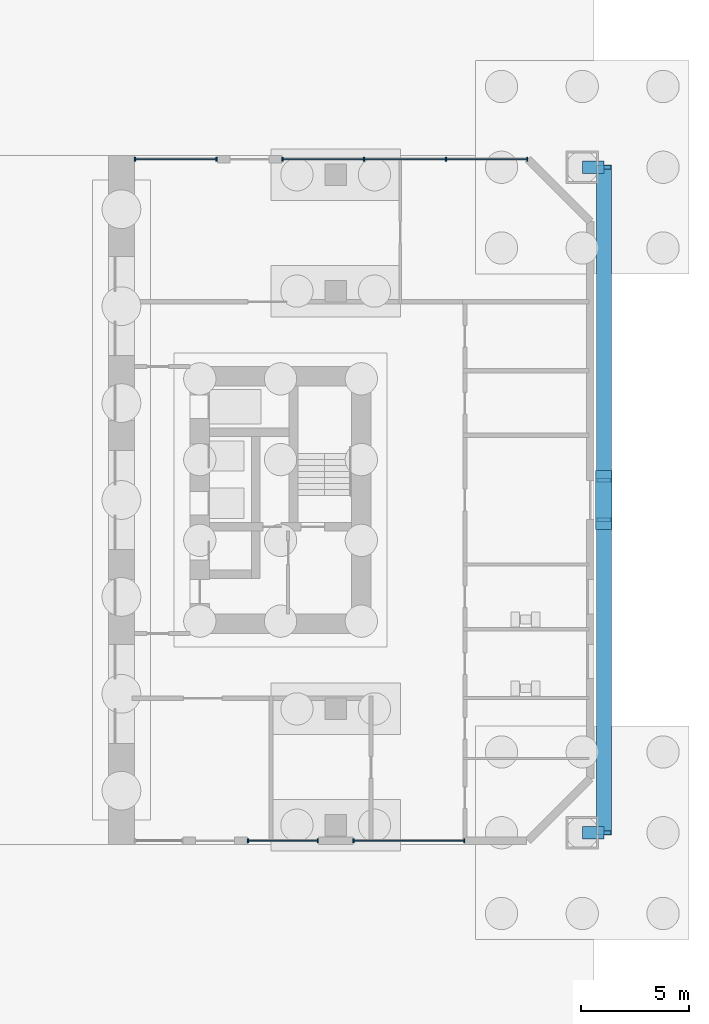
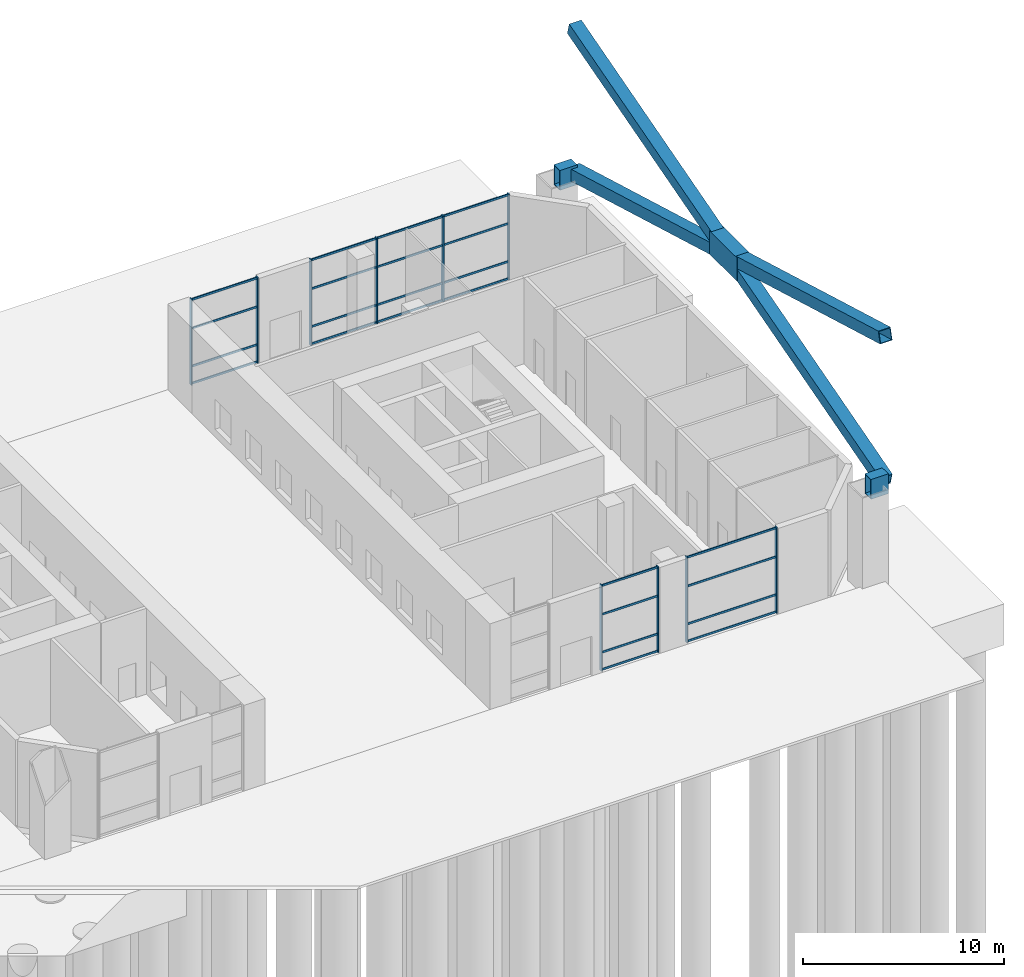
# One storey, part 9 of 26: 39 members, 2 beams, 4 elements without a shape of their own.
"""IFC4 building model written with IfcOpenShell, lengths in metres."""

import ifcopenshell
import ifcopenshell.guid

model = None  # the IFC model being written
_history = None  # IfcOwnerHistory: only IFC2X3 demands one
_inside = {}  # id of a spatial element -> (the spatial element, [elements in it])
_under = {}  # id of a project, library or spatial element -> (it, [spatial elements below it])
_declared = {}  # id of a project -> (the project, [libraries it declares])
_typed = {}  # id of a type object -> (the type object, [elements of that type])
_made_of = {}  # id of a material, layer set ... -> (it, [elements and type objects made of it])


def new_model(schema):
    """Start an empty IFC model of exactly this schema.

    Asked for "IFC4X3", IfcOpenShell would pick the latest addendum, in which some entities
    have other attributes; the version numbers below select the first issue.
    IFC2X3 requires an IfcOwnerHistory on every rooted entity: one is made here for all.
    """
    global model, _history
    if schema == "IFC4X3":
        model = ifcopenshell.file(schema_version=(4, 3, 0, 0))
    else:
        model = ifcopenshell.file(schema=schema)
    _inside.clear()
    _under.clear()
    _declared.clear()
    _typed.clear()
    _made_of.clear()
    _history = None
    if model.schema == "IFC2X3":
        org = make("IfcOrganization", Name="unknown")
        user = make(
            "IfcPersonAndOrganization",
            ThePerson=make("IfcPerson", FamilyName="unknown"),
            TheOrganization=org,
        )
        app = make(
            "IfcApplication",
            ApplicationDeveloper=org,
            Version="unknown",
            ApplicationFullName="unknown",
            ApplicationIdentifier="unknown",
        )
        _history = make(
            "IfcOwnerHistory",
            OwningUser=user,
            OwningApplication=app,
            ChangeAction="ADDED",
            CreationDate=0,
        )
    return model


def make(cls, **values):
    """One entity of the class cls with the attributes given. An attribute that is None is left unset."""
    return model.create_entity(
        cls, **{name: value for name, value in values.items() if value is not None}
    )


def rooted(cls, **values):
    """An entity with a GlobalId (a new one), such as an element, a storey or a relation."""
    return make(cls, GlobalId=ifcopenshell.guid.new(), OwnerHistory=_history, **values)


def si_unit(unit_type, name, prefix=None):
    """IfcSIUnit, for example si_unit("LENGTHUNIT", "METRE", prefix="MILLI")."""
    return make("IfcSIUnit", UnitType=unit_type, Prefix=prefix, Name=name)


def assignment(units):
    """IfcUnitAssignment: the units of a project."""
    return None if units is None else make("IfcUnitAssignment", Units=units)


def point(xyz):
    """IfcCartesianPoint."""
    return None if xyz is None else make("IfcCartesianPoint", Coordinates=xyz)


def direction(xyz):
    """IfcDirection."""
    return None if xyz is None else make("IfcDirection", DirectionRatios=xyz)


def frame(location, z_axis=None, x_axis=None):
    """IfcAxis2Placement3D, a coordinate frame: its origin and axes. An axis left out is left unset."""
    return make(
        "IfcAxis2Placement3D",
        Location=point(location),
        Axis=direction(z_axis),
        RefDirection=direction(x_axis),
    )


def frame_2d(location, x_axis=None):
    """IfcAxis2Placement2D, a coordinate frame in the plane: its origin and x axis."""
    return make(
        "IfcAxis2Placement2D", Location=point(location), RefDirection=direction(x_axis)
    )


def origin():
    """The frame at (0, 0, 0) with its axes left unset."""
    return frame((0.0, 0.0, 0.0))


def origin_2d():
    """The frame at (0, 0) in the plane with its x axis left unset."""
    return frame_2d((0.0, 0.0))


def place(relative_to, where):
    """IfcLocalPlacement: puts the frame where relative to a parent placement (None: the world)."""
    return make(
        "IfcLocalPlacement", PlacementRelTo=relative_to, RelativePlacement=where
    )


def context(
    kind, dimensions, precision=None, world=None, true_north=None, identifier=None
):
    """IfcGeometricRepresentationContext, for example the 3D "Model" context."""
    return make(
        "IfcGeometricRepresentationContext",
        ContextIdentifier=identifier,
        ContextType=kind,
        CoordinateSpaceDimension=dimensions,
        Precision=precision,
        WorldCoordinateSystem=world,
        TrueNorth=true_north,
    )


def subcontext(parent, identifier, kind, view, scale=None):
    """IfcGeometricRepresentationSubContext, for example "Body" below "Model"."""
    return make(
        "IfcGeometricRepresentationSubContext",
        ContextIdentifier=identifier,
        ContextType=kind,
        ParentContext=parent,
        TargetScale=scale,
        TargetView=view,
    )


def project(units=None, contexts=None):
    """IfcProject with its units and contexts."""
    return rooted(
        "IfcProject",
        Name="project",
        RepresentationContexts=contexts,
        UnitsInContext=assignment(units),
    )


def spatial(cls, under=None, at=None, **own):
    """A site, building, storey or space (cls), placed at a placement, below another one or the project."""
    s = rooted(cls, ObjectPlacement=at, **own)
    if under is not None:
        _under.setdefault(under.id(), (under, []))[1].append(s)
    return s


def profile(cls, at=None, kind="AREA", **sizes):
    """A parametric profile (cls). Its sizes go by their IFC names, for example OverallWidth=200.0."""
    return make(cls, ProfileType=kind, Position=at, **sizes)


def rectangle(**sizes):
    """IfcRectangleProfileDef."""
    return profile("IfcRectangleProfileDef", **sizes)


def hollow_rectangle(**sizes):
    """IfcRectangleHollowProfileDef."""
    return profile("IfcRectangleHollowProfileDef", **sizes)


def extrude(swept, where, along, depth):
    """IfcExtrudedAreaSolid: the profile swept, set in the frame where, extruded along a direction by depth."""
    return make(
        "IfcExtrudedAreaSolid",
        SweptArea=swept,
        Position=where,
        ExtrudedDirection=direction(along),
        Depth=depth,
    )


def shape(context_of_items, identifier, shape_type, items):
    """IfcShapeRepresentation: the items that make up one representation, for example the "Body"."""
    return make(
        "IfcShapeRepresentation",
        ContextOfItems=context_of_items,
        RepresentationIdentifier=identifier,
        RepresentationType=shape_type,
        Items=items,
    )


def material(Name=None, Category=None):
    """IfcMaterial."""
    return make("IfcMaterial", Name=Name, Category=Category)


def material_profile(
    of_material, cross_section, Name=None, Category=None, Priority=None
):
    """IfcMaterialProfile: a cross section and its material."""
    return make(
        "IfcMaterialProfile",
        Name=Name,
        Material=of_material,
        Profile=cross_section,
        Priority=Priority,
        Category=Category,
    )


def profile_set(profiles, Name=None, composite=None):
    """IfcMaterialProfileSet."""
    return make(
        "IfcMaterialProfileSet",
        Name=Name,
        MaterialProfiles=profiles,
        CompositeProfile=composite,
    )


def made_of(thing, what):
    """Note that an element or type object is made of a material, layer set ...; save() writes the relation."""
    if what is not None:
        _made_of.setdefault(what.id(), (what, []))[1].append(thing)
    return thing


def type_object(cls, material=None, **own):
    """A type object (cls), such as IfcWallType, which elements share."""
    return made_of(rooted(cls, **own), material)


def element(
    cls,
    number,
    at=None,
    inside=None,
    cuts=None,
    type_object=None,
    material=None,
    context=None,
    identifier="Body",
    shape_type=None,
    held_by="IfcProductDefinitionShape",
    body=None,
    shapes=None,
    **own,
):
    """One element of the class cls, such as IfcWall. Its Tag is "e" and its number.

    at: its placement. inside: the storey or other place that contains it. cuts: it is an
    opening in that element (IfcRelVoidsElement). A single representation is given by context,
    identifier, shape_type and body (its items); several are given by shapes. held_by: the class
    of the entity that holds the representations. save() writes the other relations.
    """
    e = rooted(cls, Tag="e%d" % number, ObjectPlacement=at, **own)
    if body is not None:
        shapes = [shape(context, identifier, shape_type, body)]
    if shapes is not None:
        e.Representation = make(held_by, Representations=shapes)
    if inside is not None:
        _inside.setdefault(inside.id(), (inside, []))[1].append(e)
    if cuts is not None:
        rooted(
            "IfcRelVoidsElement", RelatingBuildingElement=cuts, RelatedOpeningElement=e
        )
    if type_object is not None:
        _typed.setdefault(type_object.id(), (type_object, []))[1].append(e)
    return made_of(e, material)


def aggregate(whole, parts):
    """IfcRelAggregates: a whole, such as a stair, and the parts it consists of."""
    return rooted("IfcRelAggregates", RelatingObject=whole, RelatedObjects=parts)


def save(model, path):
    """Write the relations noted so far, then the file.

    IfcRelAggregates (storeys below a building ...), IfcRelContainedInSpatialStructure (elements
    in a storey), IfcRelDefinesByType, IfcRelAssociatesMaterial and IfcRelDeclares: one each for
    every whole, place, type object, material and project.
    """
    for whole, parts in _under.values():
        aggregate(whole, parts)
    for where, things in _inside.values():
        rooted(
            "IfcRelContainedInSpatialStructure",
            RelatedElements=things,
            RelatingStructure=where,
        )
    for kind, things in _typed.values():
        rooted("IfcRelDefinesByType", RelatedObjects=things, RelatingType=kind)
    for what, things in _made_of.values():
        rooted("IfcRelAssociatesMaterial", RelatedObjects=things, RelatingMaterial=what)
    for by, libraries in _declared.values():
        rooted("IfcRelDeclares", RelatingContext=by, RelatedDefinitions=libraries)
    model.write(path)


model = new_model("IFC4")

# Units and contexts
model_context = context("Model", 3, precision=1e-05, world=origin(), true_north=direction((0.0, 1.0)))
body_context = subcontext(model_context, "Body", "Model", "MODEL_VIEW")
ifc_project = project(units=[si_unit("LENGTHUNIT", "METRE"), si_unit("AREAUNIT", "SQUARE_METRE"), si_unit("VOLUMEUNIT", "CUBIC_METRE"), si_unit("PLANEANGLEUNIT", "RADIAN"), si_unit("MASSUNIT", "GRAM", prefix="KILO")], contexts=[model_context])

# Site, building, storey
site_placement = place(None, origin())
site = spatial("IfcSite", under=ifc_project, at=site_placement, CompositionType="ELEMENT")
building_placement = place(site_placement, origin())
building = spatial("IfcBuilding", under=site, at=building_placement, Name="Tuart Gate Housing", CompositionType="ELEMENT")
storey_placement = place(building_placement, origin())
storey = spatial("IfcBuildingStorey", under=building, at=storey_placement, Name="L00", CompositionType="ELEMENT", Elevation=0.0)

# Member
ifc_material_1 = material(Name="Steel Grade 350", Category="steel")
ifc_material_profile_1 = material_profile(ifc_material_1, rectangle(XDim=2.72705078125, YDim=1.419921875, at=origin_2d()), Name="Brace node plate 2727 x 1420")
ifc_profile_set_1 = profile_set([ifc_material_profile_1], Name="Steel Grade 350")
member_type_1 = type_object("IfcMemberType", Name="Brace node plate 2727 x 1420", PredefinedType="PLATE", material=ifc_profile_set_1)
member_1_placement = place(storey_placement, frame((179.06494140625, 70.0, 9.89990234375), z_axis=(1.0, 0.0, 0.0), x_axis=(0.0, 1.0, 0.0)))
element("IfcMember", 1, at=member_1_placement, inside=storey, type_object=member_type_1, Name="Brace node B zone 0 east", PredefinedType="PLATE", context=body_context, shape_type="SweptSolid", body=[
    extrude(rectangle(XDim=2.72705078125, YDim=1.419921875, at=origin_2d()), origin(), (0.0, 0.0, 1.0), 0.77001953125),
])

# Beams
ifc_material_2 = material(Name="Steel Grade 350", Category="steel")
ifc_material_profile_2 = material_profile(ifc_material_2, hollow_rectangle(XDim=0.60009765625, YDim=1.199951171875, WallThickness=0.0400390625, at=origin_2d()), Name="BOX 1200x600x40")
ifc_profile_set_2 = profile_set([ifc_material_profile_2], Name="Steel Grade 350")
beam_type = type_object("IfcBeamType", Name="Brace shoe BOX 1200x600x40", PredefinedType="BEAM", material=ifc_profile_set_2)
for number, where, z_axis, x_axis, name in (
    (2, (178.449951171875, 54.550048828125, 5.5), (1.0, 0.0, 0.0), (0.0, 1.0, 0.0), "Mega brace shoe B zone 0 east cross 1"),
    (3, (178.449951171875, 85.449951171875, 5.5), (1.0, 0.0, 0.0), (0.0, 1.0, 0.0), "Mega brace shoe B zone 0 east cross 2"),
):
    element("IfcBeam", number, at=place(storey_placement, frame(where, z_axis=z_axis, x_axis=x_axis)), inside=storey, type_object=beam_type, Name=name, PredefinedType="BEAM", context=body_context, shape_type="SweptSolid", body=[
        extrude(hollow_rectangle(XDim=0.60009765625, YDim=1.199951171875, WallThickness=0.0400390625, at=origin_2d()), origin(), (0.0, 0.0, 1.0), 1.0),
    ])

# Members
ifc_material_3 = material(Name="Steel Grade 350", Category="steel")
ifc_material_profile_3 = material_profile(ifc_material_3, hollow_rectangle(XDim=0.699951171875, YDim=0.699951171875, WallThickness=0.034912109375, at=origin_2d()), Name="BOX 700x700x35")
ifc_profile_set_3 = profile_set([ifc_material_profile_3], Name="Steel Grade 350")
member_type_2 = type_object("IfcMemberType", Name="Mega brace BOX 700x700x35", PredefinedType="BRACE", material=ifc_profile_set_3)
for number, where, z_axis, x_axis, name in (
    (4, (179.449951171875, 54.550048828125, 5.5), (0.0, 0.961755843044, 0.273908193324), (-1.0, 0.0, 0.0), "Mega brace B zone 0 east cross 1 a"),
    (5, (179.449951171875, 70.913818359375, 10.16015625), (0.0, 0.961755843044, 0.273908193324), (-1.0, 0.0, 0.0), "Mega brace B zone 0 east cross 1 b"),
    (6, (179.449951171875, 85.449951171875, 5.5), (0.0, -0.961755843044, 0.273908193324), (1.0, 0.0, 0.0), "Mega brace B zone 0 east cross 2 a"),
    (7, (179.449951171875, 69.086181640625, 10.16015625), (0.0, -0.961755843044, 0.273908193324), (1.0, 0.0, 0.0), "Mega brace B zone 0 east cross 2 b"),
):
    element("IfcMember", number, at=place(storey_placement, frame(where, z_axis=z_axis, x_axis=x_axis)), inside=storey, type_object=member_type_2, Name=name, PredefinedType="BRACE", context=body_context, shape_type="SweptSolid", body=[
        extrude(hollow_rectangle(XDim=0.699951171875, YDim=0.699951171875, WallThickness=0.034912109375, at=origin_2d()), origin(), (0.0, 0.0, 1.0), 15.1142578125),
    ])

# Curtain wall, members
ifc_material_4 = material(Name="Aluminium and clear glass", Category="aluminium")
curtain_wall_type = type_object("IfcCurtainWallType", Name="Ground storey glazing", PredefinedType="USERDEFINED", material=ifc_material_4)
curtain_wall_1_placement = place(storey_placement, origin())
curtain_wall_1 = element("IfcCurtainWall", 8, at=curtain_wall_1_placement, inside=storey, type_object=curtain_wall_type, Name="Ground storey glazing B-S L00", ObjectType="GROUND STOREY GLAZING", PredefinedType="USERDEFINED")
ifc_material_5 = material(Name="Anodised aluminium", Category="aluminium")
ifc_material_profile_4 = material_profile(ifc_material_5, rectangle(XDim=0.06005859375, YDim=0.199951171875, at=origin_2d()), Name="60x200")
ifc_profile_set_4 = profile_set([ifc_material_profile_4], Name="Anodised aluminium")
member_type_3 = type_object("IfcMemberType", Name="Mullion 60 x 200", PredefinedType="MULLION", material=ifc_profile_set_4)
member_2_placement = place(storey_placement, frame((162.929931640625, 54.179931640625, 0.0), z_axis=(0.0, 0.0, 1.0), x_axis=(1.0, 0.0, 0.0)))
member_2 = element("IfcMember", 9, at=member_2_placement, type_object=member_type_3, Name="CW2 mullion 1", PredefinedType="MULLION", context=body_context, shape_type="SweptSolid", body=[
    extrude(rectangle(XDim=0.06005859375, YDim=0.199951171875, at=origin_2d()), origin(), (0.0, 0.0, 1.0), 5.199951171875),
])
member_3_placement = place(storey_placement, frame((166.169921875, 54.179931640625, 0.0), z_axis=(0.0, 0.0, 1.0), x_axis=(1.0, 0.0, 0.0)))
member_3 = element("IfcMember", 10, at=member_3_placement, type_object=member_type_3, Name="CW2 mullion 2", PredefinedType="MULLION", context=body_context, shape_type="SweptSolid", body=[
    extrude(rectangle(XDim=0.06005859375, YDim=0.199951171875, at=origin_2d()), origin(), (0.0, 0.0, 1.0), 5.199951171875),
])

curtain_wall_2_placement = place(storey_placement, origin())
curtain_wall_2 = element("IfcCurtainWall", 11, at=curtain_wall_2_placement, inside=storey, type_object=curtain_wall_type, Name="Ground storey glazing B-S L00", ObjectType="GROUND STOREY GLAZING", PredefinedType="USERDEFINED")
member_4_placement = place(storey_placement, frame((167.830078125, 54.179931640625, 0.0), z_axis=(0.0, 0.0, 1.0), x_axis=(1.0, 0.0, 0.0)))
member_4 = element("IfcMember", 12, at=member_4_placement, type_object=member_type_3, Name="CW2 mullion 1", PredefinedType="MULLION", context=body_context, shape_type="SweptSolid", body=[
    extrude(rectangle(XDim=0.06005859375, YDim=0.199951171875, at=origin_2d()), origin(), (0.0, 0.0, 1.0), 5.199951171875),
])
member_5_placement = place(storey_placement, frame((172.969970703125, 54.179931640625, 0.0), z_axis=(0.0, 0.0, 1.0), x_axis=(1.0, 0.0, 0.0)))
member_5 = element("IfcMember", 13, at=member_5_placement, type_object=member_type_3, Name="CW2 mullion 2", PredefinedType="MULLION", context=body_context, shape_type="SweptSolid", body=[
    extrude(rectangle(XDim=0.06005859375, YDim=0.199951171875, at=origin_2d()), origin(), (0.0, 0.0, 1.0), 5.199951171875),
])

curtain_wall_3_placement = place(storey_placement, origin())
curtain_wall_3 = element("IfcCurtainWall", 14, at=curtain_wall_3_placement, inside=storey, type_object=curtain_wall_type, Name="Ground storey glazing B-N L00", ObjectType="GROUND STOREY GLAZING", PredefinedType="USERDEFINED")
member_6_placement = place(storey_placement, frame((175.8955078125, 85.820068359375, 0.0), z_axis=(0.0, 0.0, 1.0), x_axis=(-1.0, 0.0, 0.0)))
member_6 = element("IfcMember", 15, at=member_6_placement, type_object=member_type_3, Name="CW2 mullion 1", PredefinedType="MULLION", context=body_context, shape_type="SweptSolid", body=[
    extrude(rectangle(XDim=0.06005859375, YDim=0.199951171875, at=origin_2d()), origin(), (0.0, 0.0, 1.0), 5.199951171875),
])
member_7_placement = place(storey_placement, frame((172.116943359375, 85.820068359375, 0.0), z_axis=(0.0, 0.0, 1.0), x_axis=(-1.0, 0.0, 0.0)))
member_7 = element("IfcMember", 16, at=member_7_placement, type_object=member_type_3, Name="CW2 mullion 2", PredefinedType="MULLION", context=body_context, shape_type="SweptSolid", body=[
    extrude(rectangle(XDim=0.06005859375, YDim=0.199951171875, at=origin_2d()), origin(), (0.0, 0.0, 1.0), 5.199951171875),
])
member_8_placement = place(storey_placement, frame((168.308349609375, 85.820068359375, 0.0), z_axis=(0.0, 0.0, 1.0), x_axis=(-1.0, 0.0, 0.0)))
member_8 = element("IfcMember", 17, at=member_8_placement, type_object=member_type_3, Name="CW2 mullion 3", PredefinedType="MULLION", context=body_context, shape_type="SweptSolid", body=[
    extrude(rectangle(XDim=0.06005859375, YDim=0.199951171875, at=origin_2d()), origin(), (0.0, 0.0, 1.0), 5.199951171875),
])
member_9_placement = place(storey_placement, frame((164.530029296875, 85.820068359375, 0.0), z_axis=(0.0, 0.0, 1.0), x_axis=(-1.0, 0.0, 0.0)))
member_9 = element("IfcMember", 18, at=member_9_placement, type_object=member_type_3, Name="CW2 mullion 4", PredefinedType="MULLION", context=body_context, shape_type="SweptSolid", body=[
    extrude(rectangle(XDim=0.06005859375, YDim=0.199951171875, at=origin_2d()), origin(), (0.0, 0.0, 1.0), 5.199951171875),
])

curtain_wall_4_placement = place(storey_placement, origin())
curtain_wall_4 = element("IfcCurtainWall", 19, at=curtain_wall_4_placement, inside=storey, type_object=curtain_wall_type, Name="Ground storey glazing B-N L00", ObjectType="GROUND STOREY GLAZING", PredefinedType="USERDEFINED")
member_10_placement = place(storey_placement, frame((161.469970703125, 85.820068359375, 0.0), z_axis=(0.0, 0.0, 1.0), x_axis=(-1.0, 0.0, 0.0)))
member_10 = element("IfcMember", 20, at=member_10_placement, type_object=member_type_3, Name="CW2 mullion 1", PredefinedType="MULLION", context=body_context, shape_type="SweptSolid", body=[
    extrude(rectangle(XDim=0.06005859375, YDim=0.199951171875, at=origin_2d()), origin(), (0.0, 0.0, 1.0), 5.199951171875),
])
member_11_placement = place(storey_placement, frame((157.679931640625, 85.820068359375, 0.0), z_axis=(0.0, 0.0, 1.0), x_axis=(-1.0, 0.0, 0.0)))
member_11 = element("IfcMember", 21, at=member_11_placement, type_object=member_type_3, Name="CW2 mullion 2", PredefinedType="MULLION", context=body_context, shape_type="SweptSolid", body=[
    extrude(rectangle(XDim=0.06005859375, YDim=0.199951171875, at=origin_2d()), origin(), (0.0, 0.0, 1.0), 5.199951171875),
])

# Member
ifc_material_6 = material(Name="Anodised aluminium", Category="aluminium")
ifc_material_profile_5 = material_profile(ifc_material_6, rectangle(XDim=0.06005859375, YDim=0.1201171875, at=origin_2d()), Name="60x120")
ifc_profile_set_5 = profile_set([ifc_material_profile_5], Name="Anodised aluminium")
member_type_4 = type_object("IfcMemberType", Name="Transom 60 x 120", PredefinedType="USERDEFINED", material=ifc_profile_set_5)
member_12_placement = place(storey_placement, frame((162.9599609375, 54.179931640625, 0.06005859375), z_axis=(1.0, 0.0, 0.0), x_axis=(0.0, 1.0, 0.0)))
member_12 = element("IfcMember", 22, at=member_12_placement, type_object=member_type_4, Name="CW2 transom 1.1", ObjectType="TRANSOM", PredefinedType="USERDEFINED", context=body_context, shape_type="SweptSolid", body=[
    extrude(rectangle(XDim=0.06005859375, YDim=0.1201171875, at=origin_2d()), origin(), (0.0, 0.0, 1.0), 3.179931640625),
])

member_13_placement = place(storey_placement, frame((162.9599609375, 54.179931640625, 1.10009765625), z_axis=(1.0, 0.0, 0.0), x_axis=(0.0, 1.0, 0.0)))
member_13 = element("IfcMember", 23, at=member_13_placement, type_object=member_type_4, Name="CW2 transom 1.2", ObjectType="TRANSOM", PredefinedType="USERDEFINED", context=body_context, shape_type="SweptSolid", body=[
    extrude(rectangle(XDim=0.06005859375, YDim=0.1201171875, at=origin_2d()), origin(), (0.0, 0.0, 1.0), 3.179931640625),
])

member_14_placement = place(storey_placement, frame((162.9599609375, 54.179931640625, 3.39990234375), z_axis=(1.0, 0.0, 0.0), x_axis=(0.0, 1.0, 0.0)))
member_14 = element("IfcMember", 24, at=member_14_placement, type_object=member_type_4, Name="CW2 transom 1.3", ObjectType="TRANSOM", PredefinedType="USERDEFINED", context=body_context, shape_type="SweptSolid", body=[
    extrude(rectangle(XDim=0.06005859375, YDim=0.1201171875, at=origin_2d()), origin(), (0.0, 0.0, 1.0), 3.179931640625),
])

member_15_placement = place(storey_placement, frame((162.9599609375, 54.179931640625, 5.139892578125), z_axis=(1.0, 0.0, 0.0), x_axis=(0.0, 1.0, 0.0)))
member_15 = element("IfcMember", 25, at=member_15_placement, type_object=member_type_4, Name="CW2 transom 1.4", ObjectType="TRANSOM", PredefinedType="USERDEFINED", context=body_context, shape_type="SweptSolid", body=[
    extrude(rectangle(XDim=0.06005859375, YDim=0.1201171875, at=origin_2d()), origin(), (0.0, 0.0, 1.0), 3.179931640625),
])

aggregate(curtain_wall_1, [member_2, member_3, member_12, member_13, member_14, member_15])

member_16_placement = place(storey_placement, frame((167.860107421875, 54.179931640625, 0.06005859375), z_axis=(1.0, 0.0, 0.0), x_axis=(0.0, 1.0, 0.0)))
member_16 = element("IfcMember", 26, at=member_16_placement, type_object=member_type_4, Name="CW2 transom 1.1", ObjectType="TRANSOM", PredefinedType="USERDEFINED", context=body_context, shape_type="SweptSolid", body=[
    extrude(rectangle(XDim=0.06005859375, YDim=0.1201171875, at=origin_2d()), origin(), (0.0, 0.0, 1.0), 5.079833984375),
])

member_17_placement = place(storey_placement, frame((167.860107421875, 54.179931640625, 1.10009765625), z_axis=(1.0, 0.0, 0.0), x_axis=(0.0, 1.0, 0.0)))
member_17 = element("IfcMember", 27, at=member_17_placement, type_object=member_type_4, Name="CW2 transom 1.2", ObjectType="TRANSOM", PredefinedType="USERDEFINED", context=body_context, shape_type="SweptSolid", body=[
    extrude(rectangle(XDim=0.06005859375, YDim=0.1201171875, at=origin_2d()), origin(), (0.0, 0.0, 1.0), 5.079833984375),
])

member_18_placement = place(storey_placement, frame((167.860107421875, 54.179931640625, 3.39990234375), z_axis=(1.0, 0.0, 0.0), x_axis=(0.0, 1.0, 0.0)))
member_18 = element("IfcMember", 28, at=member_18_placement, type_object=member_type_4, Name="CW2 transom 1.3", ObjectType="TRANSOM", PredefinedType="USERDEFINED", context=body_context, shape_type="SweptSolid", body=[
    extrude(rectangle(XDim=0.06005859375, YDim=0.1201171875, at=origin_2d()), origin(), (0.0, 0.0, 1.0), 5.079833984375),
])

member_19_placement = place(storey_placement, frame((167.860107421875, 54.179931640625, 5.139892578125), z_axis=(1.0, 0.0, 0.0), x_axis=(0.0, 1.0, 0.0)))
member_19 = element("IfcMember", 29, at=member_19_placement, type_object=member_type_4, Name="CW2 transom 1.4", ObjectType="TRANSOM", PredefinedType="USERDEFINED", context=body_context, shape_type="SweptSolid", body=[
    extrude(rectangle(XDim=0.06005859375, YDim=0.1201171875, at=origin_2d()), origin(), (0.0, 0.0, 1.0), 5.079833984375),
])

aggregate(curtain_wall_2, [member_4, member_5, member_16, member_17, member_18, member_19])

member_20_placement = place(storey_placement, frame((175.865478515625, 85.820068359375, 0.06005859375), z_axis=(-1.0, 0.0, 0.0), x_axis=(0.0, -1.0, 0.0)))
member_20 = element("IfcMember", 30, at=member_20_placement, type_object=member_type_4, Name="CW2 transom 1.1", ObjectType="TRANSOM", PredefinedType="USERDEFINED", context=body_context, shape_type="SweptSolid", body=[
    extrude(rectangle(XDim=0.06005859375, YDim=0.1201171875, at=origin_2d()), origin(), (0.0, 0.0, 1.0), 3.718505859375),
])

member_21_placement = place(storey_placement, frame((175.865478515625, 85.820068359375, 1.10009765625), z_axis=(-1.0, 0.0, 0.0), x_axis=(0.0, -1.0, 0.0)))
member_21 = element("IfcMember", 31, at=member_21_placement, type_object=member_type_4, Name="CW2 transom 1.2", ObjectType="TRANSOM", PredefinedType="USERDEFINED", context=body_context, shape_type="SweptSolid", body=[
    extrude(rectangle(XDim=0.06005859375, YDim=0.1201171875, at=origin_2d()), origin(), (0.0, 0.0, 1.0), 3.718505859375),
])

member_22_placement = place(storey_placement, frame((175.865478515625, 85.820068359375, 3.39990234375), z_axis=(-1.0, 0.0, 0.0), x_axis=(0.0, -1.0, 0.0)))
member_22 = element("IfcMember", 32, at=member_22_placement, type_object=member_type_4, Name="CW2 transom 1.3", ObjectType="TRANSOM", PredefinedType="USERDEFINED", context=body_context, shape_type="SweptSolid", body=[
    extrude(rectangle(XDim=0.06005859375, YDim=0.1201171875, at=origin_2d()), origin(), (0.0, 0.0, 1.0), 3.718505859375),
])

member_23_placement = place(storey_placement, frame((175.865478515625, 85.820068359375, 5.139892578125), z_axis=(-1.0, 0.0, 0.0), x_axis=(0.0, -1.0, 0.0)))
member_23 = element("IfcMember", 33, at=member_23_placement, type_object=member_type_4, Name="CW2 transom 1.4", ObjectType="TRANSOM", PredefinedType="USERDEFINED", context=body_context, shape_type="SweptSolid", body=[
    extrude(rectangle(XDim=0.06005859375, YDim=0.1201171875, at=origin_2d()), origin(), (0.0, 0.0, 1.0), 3.718505859375),
])

member_24_placement = place(storey_placement, frame((172.0869140625, 85.820068359375, 0.06005859375), z_axis=(-1.0, 0.0, 0.0), x_axis=(0.0, -1.0, 0.0)))
member_24 = element("IfcMember", 34, at=member_24_placement, type_object=member_type_4, Name="CW2 transom 2.1", ObjectType="TRANSOM", PredefinedType="USERDEFINED", context=body_context, shape_type="SweptSolid", body=[
    extrude(rectangle(XDim=0.06005859375, YDim=0.1201171875, at=origin_2d()), origin(), (0.0, 0.0, 1.0), 3.74853515625),
])

member_25_placement = place(storey_placement, frame((172.0869140625, 85.820068359375, 1.10009765625), z_axis=(-1.0, 0.0, 0.0), x_axis=(0.0, -1.0, 0.0)))
member_25 = element("IfcMember", 35, at=member_25_placement, type_object=member_type_4, Name="CW2 transom 2.2", ObjectType="TRANSOM", PredefinedType="USERDEFINED", context=body_context, shape_type="SweptSolid", body=[
    extrude(rectangle(XDim=0.06005859375, YDim=0.1201171875, at=origin_2d()), origin(), (0.0, 0.0, 1.0), 3.74853515625),
])

member_26_placement = place(storey_placement, frame((172.0869140625, 85.820068359375, 3.39990234375), z_axis=(-1.0, 0.0, 0.0), x_axis=(0.0, -1.0, 0.0)))
member_26 = element("IfcMember", 36, at=member_26_placement, type_object=member_type_4, Name="CW2 transom 2.3", ObjectType="TRANSOM", PredefinedType="USERDEFINED", context=body_context, shape_type="SweptSolid", body=[
    extrude(rectangle(XDim=0.06005859375, YDim=0.1201171875, at=origin_2d()), origin(), (0.0, 0.0, 1.0), 3.74853515625),
])

member_27_placement = place(storey_placement, frame((172.0869140625, 85.820068359375, 5.139892578125), z_axis=(-1.0, 0.0, 0.0), x_axis=(0.0, -1.0, 0.0)))
member_27 = element("IfcMember", 37, at=member_27_placement, type_object=member_type_4, Name="CW2 transom 2.4", ObjectType="TRANSOM", PredefinedType="USERDEFINED", context=body_context, shape_type="SweptSolid", body=[
    extrude(rectangle(XDim=0.06005859375, YDim=0.1201171875, at=origin_2d()), origin(), (0.0, 0.0, 1.0), 3.74853515625),
])

member_28_placement = place(storey_placement, frame((168.278564453125, 85.820068359375, 0.06005859375), z_axis=(-1.0, 0.0, 0.0), x_axis=(0.0, -1.0, 0.0)))
member_28 = element("IfcMember", 38, at=member_28_placement, type_object=member_type_4, Name="CW2 transom 3.1", ObjectType="TRANSOM", PredefinedType="USERDEFINED", context=body_context, shape_type="SweptSolid", body=[
    extrude(rectangle(XDim=0.06005859375, YDim=0.1201171875, at=origin_2d()), origin(), (0.0, 0.0, 1.0), 3.718505859375),
])

member_29_placement = place(storey_placement, frame((168.278564453125, 85.820068359375, 1.10009765625), z_axis=(-1.0, 0.0, 0.0), x_axis=(0.0, -1.0, 0.0)))
member_29 = element("IfcMember", 39, at=member_29_placement, type_object=member_type_4, Name="CW2 transom 3.2", ObjectType="TRANSOM", PredefinedType="USERDEFINED", context=body_context, shape_type="SweptSolid", body=[
    extrude(rectangle(XDim=0.06005859375, YDim=0.1201171875, at=origin_2d()), origin(), (0.0, 0.0, 1.0), 3.718505859375),
])

member_30_placement = place(storey_placement, frame((168.278564453125, 85.820068359375, 3.39990234375), z_axis=(-1.0, 0.0, 0.0), x_axis=(0.0, -1.0, 0.0)))
member_30 = element("IfcMember", 40, at=member_30_placement, type_object=member_type_4, Name="CW2 transom 3.3", ObjectType="TRANSOM", PredefinedType="USERDEFINED", context=body_context, shape_type="SweptSolid", body=[
    extrude(rectangle(XDim=0.06005859375, YDim=0.1201171875, at=origin_2d()), origin(), (0.0, 0.0, 1.0), 3.718505859375),
])

member_31_placement = place(storey_placement, frame((168.278564453125, 85.820068359375, 5.139892578125), z_axis=(-1.0, 0.0, 0.0), x_axis=(0.0, -1.0, 0.0)))
member_31 = element("IfcMember", 41, at=member_31_placement, type_object=member_type_4, Name="CW2 transom 3.4", ObjectType="TRANSOM", PredefinedType="USERDEFINED", context=body_context, shape_type="SweptSolid", body=[
    extrude(rectangle(XDim=0.06005859375, YDim=0.1201171875, at=origin_2d()), origin(), (0.0, 0.0, 1.0), 3.718505859375),
])

aggregate(curtain_wall_3, [member_6, member_7, member_8, member_9, member_20, member_21, member_22, member_23, member_24, member_25, member_26, member_27, member_28, member_29, member_30, member_31])

member_32_placement = place(storey_placement, frame((161.43994140625, 85.820068359375, 0.06005859375), z_axis=(-1.0, 0.0, 0.0), x_axis=(0.0, -1.0, 0.0)))
member_32 = element("IfcMember", 42, at=member_32_placement, type_object=member_type_4, Name="CW2 transom 1.1", ObjectType="TRANSOM", PredefinedType="USERDEFINED", context=body_context, shape_type="SweptSolid", body=[
    extrude(rectangle(XDim=0.06005859375, YDim=0.1201171875, at=origin_2d()), origin(), (0.0, 0.0, 1.0), 3.72998046875),
])

member_33_placement = place(storey_placement, frame((161.43994140625, 85.820068359375, 1.10009765625), z_axis=(-1.0, 0.0, 0.0), x_axis=(0.0, -1.0, 0.0)))
member_33 = element("IfcMember", 43, at=member_33_placement, type_object=member_type_4, Name="CW2 transom 1.2", ObjectType="TRANSOM", PredefinedType="USERDEFINED", context=body_context, shape_type="SweptSolid", body=[
    extrude(rectangle(XDim=0.06005859375, YDim=0.1201171875, at=origin_2d()), origin(), (0.0, 0.0, 1.0), 3.72998046875),
])

member_34_placement = place(storey_placement, frame((161.43994140625, 85.820068359375, 3.39990234375), z_axis=(-1.0, 0.0, 0.0), x_axis=(0.0, -1.0, 0.0)))
member_34 = element("IfcMember", 44, at=member_34_placement, type_object=member_type_4, Name="CW2 transom 1.3", ObjectType="TRANSOM", PredefinedType="USERDEFINED", context=body_context, shape_type="SweptSolid", body=[
    extrude(rectangle(XDim=0.06005859375, YDim=0.1201171875, at=origin_2d()), origin(), (0.0, 0.0, 1.0), 3.72998046875),
])

member_35_placement = place(storey_placement, frame((161.43994140625, 85.820068359375, 5.139892578125), z_axis=(-1.0, 0.0, 0.0), x_axis=(0.0, -1.0, 0.0)))
member_35 = element("IfcMember", 45, at=member_35_placement, type_object=member_type_4, Name="CW2 transom 1.4", ObjectType="TRANSOM", PredefinedType="USERDEFINED", context=body_context, shape_type="SweptSolid", body=[
    extrude(rectangle(XDim=0.06005859375, YDim=0.1201171875, at=origin_2d()), origin(), (0.0, 0.0, 1.0), 3.72998046875),
])

aggregate(curtain_wall_4, [member_10, member_11, member_32, member_33, member_34, member_35])

save(model, "model.ifc")
